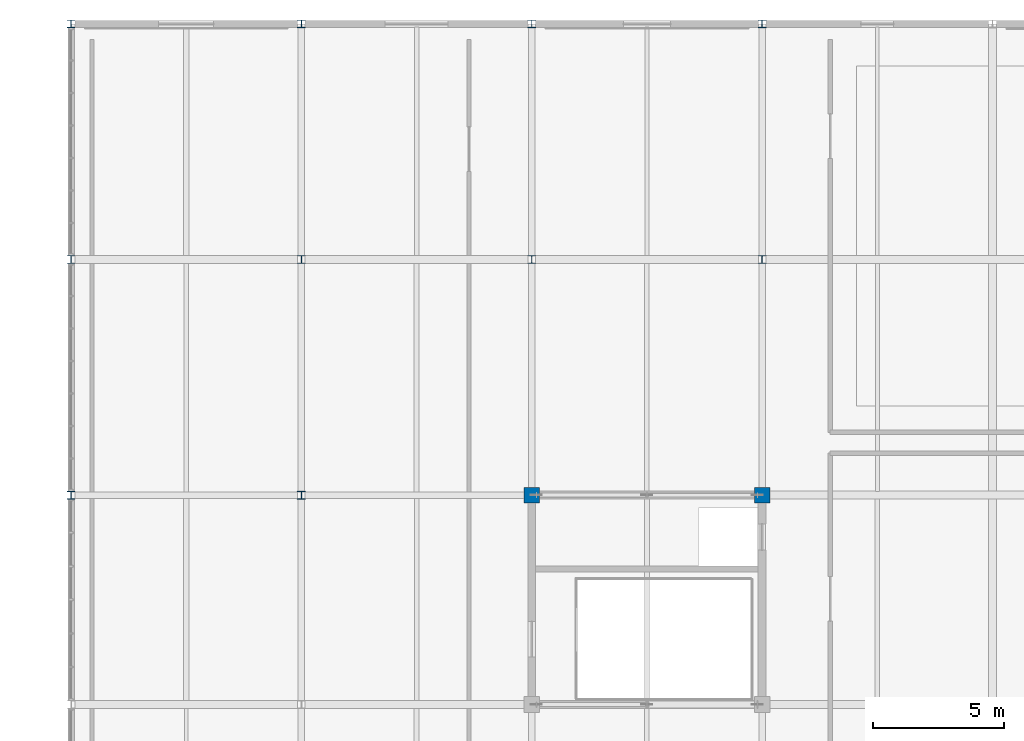
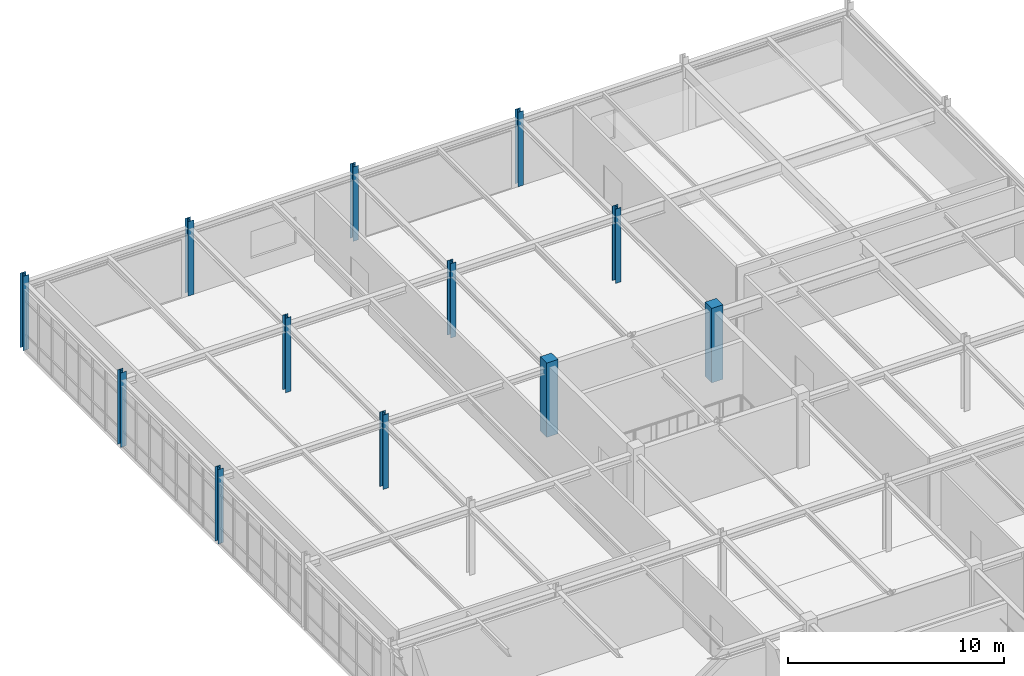
# One storey, part 4 of 64: 12 columns.
"""IFC4 building model written with IfcOpenShell, lengths in metres."""

from ifc_helpers import new_model, si_unit, direction, frame, origin, origin_2d, place, context, subcontext, project, spatial, rectangle, i_section, extrude, material, material_profile, profile_set, type_object, element, save


model = new_model("IFC4")

# Units and contexts
model_context = context("Model", 3, precision=1e-05, world=origin(), true_north=direction((0.0, 1.0)))
body_context = subcontext(model_context, "Body", "Model", "MODEL_VIEW")
ifc_project = project(units=[si_unit("LENGTHUNIT", "METRE"), si_unit("AREAUNIT", "SQUARE_METRE"), si_unit("VOLUMEUNIT", "CUBIC_METRE"), si_unit("PLANEANGLEUNIT", "RADIAN"), si_unit("MASSUNIT", "GRAM", prefix="KILO")], contexts=[model_context])

# Site, building, storey
site_placement = place(None, origin())
site = spatial("IfcSite", under=ifc_project, at=site_placement, CompositionType="ELEMENT")
building_placement = place(site_placement, origin())
building = spatial("IfcBuilding", under=site, at=building_placement, Name="Zhaolan Boulevard Law Courts", CompositionType="ELEMENT")
storey_placement = place(building_placement, frame((0.0, 0.0, 20.39990234375)))
storey = spatial("IfcBuildingStorey", under=building, at=storey_placement, Name="L04", CompositionType="ELEMENT", Elevation=20.39990234375)

# Columns
ifc_material_1 = material(Name="Structural steel Q355B", Category="steel")
ifc_material_profile_1 = material_profile(ifc_material_1, i_section(OverallWidth=0.300048828125, OverallDepth=0.300048828125, WebThickness=0.010009765625, FlangeThickness=0.014892578125, FilletRadius=0.01806640625, at=origin_2d()), Name="HW300x300")
ifc_profile_set_1 = profile_set([ifc_material_profile_1], Name="Structural steel Q355B")
column_type_1 = type_object("IfcColumnType", Name="COL HW300", PredefinedType="COLUMN", material=ifc_profile_set_1)
for number, where, z_axis, x_axis, name in (
    (1, (0.0, 94.0, 0.0), (0.0, 0.0, 1.0), (1.0, 0.0, 0.0), "Column C-1N (L04)"),
    (2, (0.0, 103.0, 0.0), (0.0, 0.0, 1.0), (1.0, 0.0, 0.0), "Column C-1P (L04)"),
    (3, (0.0, 112.0, 0.0), (0.0, 0.0, 1.0), (1.0, 0.0, 0.0), "Column C-1Q (L04)"),
    (4, (8.800048828125, 94.0, 0.0), (0.0, 0.0, 1.0), (1.0, 0.0, 0.0), "Column C-2N (L04)"),
    (5, (8.800048828125, 103.0, 0.0), (0.0, 0.0, 1.0), (1.0, 0.0, 0.0), "Column C-2P (L04)"),
    (6, (8.800048828125, 112.0, 0.0), (0.0, 0.0, 1.0), (1.0, 0.0, 0.0), "Column C-2Q (L04)"),
    (7, (17.60009765625, 103.0, 0.0), (0.0, 0.0, 1.0), (1.0, 0.0, 0.0), "Column C-3P (L04)"),
    (8, (17.60009765625, 112.0, 0.0), (0.0, 0.0, 1.0), (1.0, 0.0, 0.0), "Column C-3Q (L04)"),
    (9, (26.39990234375, 103.0, 0.0), (0.0, 0.0, 1.0), (1.0, 0.0, 0.0), "Column C-4P (L04)"),
    (10, (26.39990234375, 112.0, 0.0), (0.0, 0.0, 1.0), (1.0, 0.0, 0.0), "Column C-4Q (L04)"),
):
    element("IfcColumn", number, at=place(storey_placement, frame(where, z_axis=z_axis, x_axis=x_axis)), inside=storey, type_object=column_type_1, Name=name, PredefinedType="COLUMN", context=body_context, shape_type="SweptSolid", body=[
        extrude(i_section(OverallWidth=0.300048828125, OverallDepth=0.300048828125, WebThickness=0.010009765625, FlangeThickness=0.014892578125, FilletRadius=0.01806640625, at=origin_2d()), origin(), (0.0, 0.0, 1.0), 4.2001953125),
    ])
ifc_material_2 = material(Name="Concrete C50", Category="concrete")
ifc_material_profile_2 = material_profile(ifc_material_2, rectangle(XDim=0.60009765625, YDim=0.60009765625, at=origin_2d()), Name="RC600x600")
ifc_profile_set_2 = profile_set([ifc_material_profile_2], Name="Concrete C50")
column_type_2 = type_object("IfcColumnType", Name="COL RC600", PredefinedType="COLUMN", material=ifc_profile_set_2)
for number, where, z_axis, x_axis, name in (
    (11, (17.60009765625, 94.0, 0.0), (0.0, 0.0, 1.0), (1.0, 0.0, 0.0), "Column C-3N (L04)"),
    (12, (26.39990234375, 94.0, 0.0), (0.0, 0.0, 1.0), (1.0, 0.0, 0.0), "Column C-4N (L04)"),
):
    element("IfcColumn", number, at=place(storey_placement, frame(where, z_axis=z_axis, x_axis=x_axis)), inside=storey, type_object=column_type_2, Name=name, PredefinedType="COLUMN", context=body_context, shape_type="SweptSolid", body=[
        extrude(rectangle(XDim=0.60009765625, YDim=0.60009765625, at=origin_2d()), origin(), (0.0, 0.0, 1.0), 4.2001953125),
    ])

save(model, "model.ifc")
